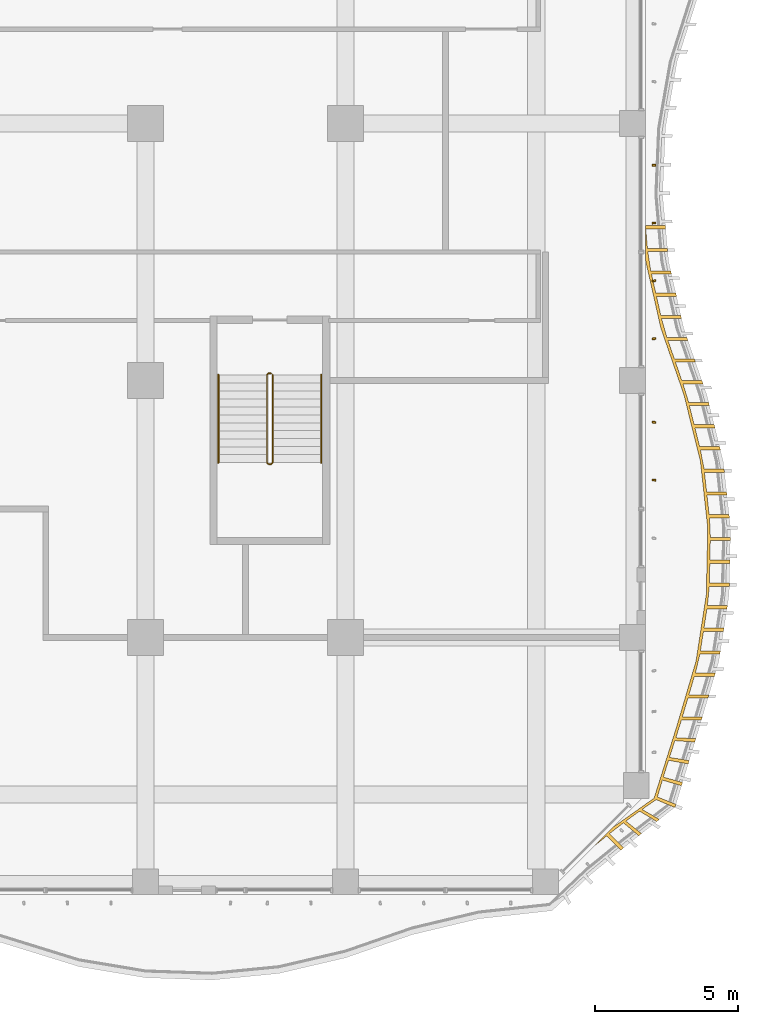
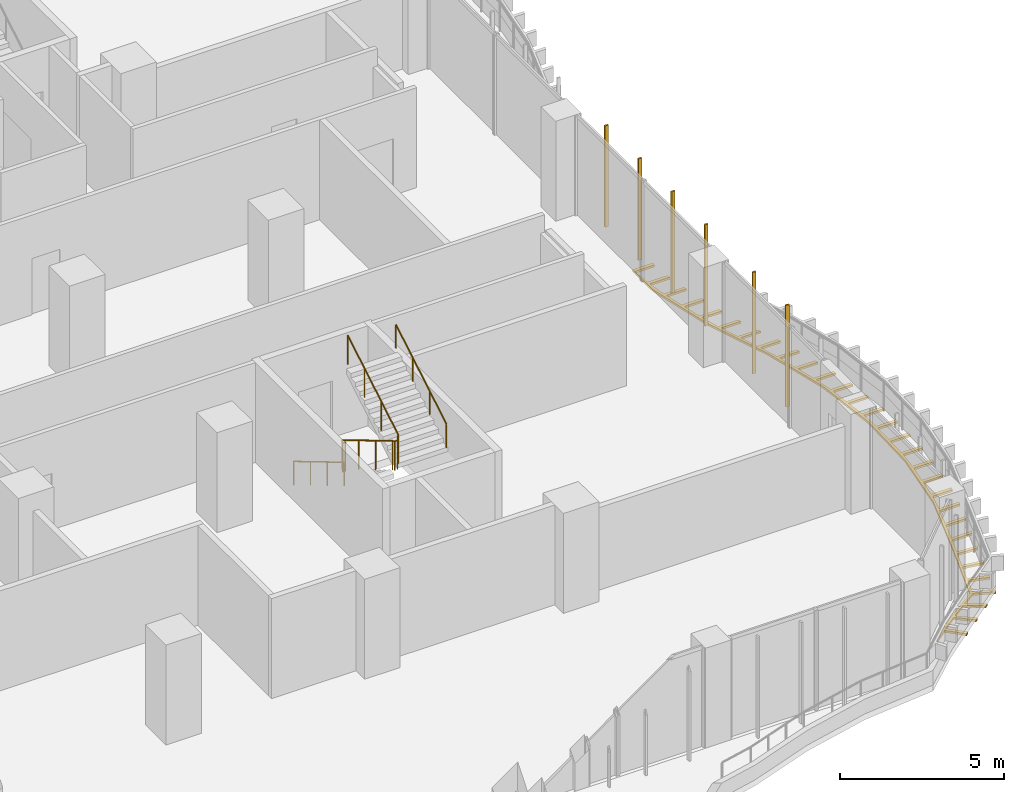
# One storey, part 23 of 27: 7 shading devices, 3 railings.
"""IFC4 building model written with IfcOpenShell, lengths in metres."""

from ifc_helpers import new_model, si_unit, direction, frame, origin, origin_2d, place, context, subcontext, project, spatial, polyline, rectangle, circle, outline, extrude, source, transform, mapped, material, layer, layer_set, material_profile, profile_set, type_object, element, save


model = new_model("IFC4")

# Units and contexts
model_context = context("Model", 3, precision=1e-05, world=origin(), true_north=direction((0.0, 1.0)))
body_context = subcontext(model_context, "Body", "Model", "MODEL_VIEW")
ifc_project = project(units=[si_unit("LENGTHUNIT", "METRE"), si_unit("AREAUNIT", "SQUARE_METRE"), si_unit("VOLUMEUNIT", "CUBIC_METRE"), si_unit("PLANEANGLEUNIT", "RADIAN"), si_unit("MASSUNIT", "GRAM", prefix="KILO")], contexts=[model_context])

# Site, building, storey
site_placement = place(None, origin())
site = spatial("IfcSite", under=ifc_project, at=site_placement, CompositionType="ELEMENT")
building_placement = place(site_placement, origin())
building = spatial("IfcBuilding", under=site, at=building_placement, Name="Kilnfold Tower and Market Hall", CompositionType="ELEMENT")
storey_placement = place(building_placement, frame((0.0, 0.0, 71.199951171875)))
storey = spatial("IfcBuildingStorey", under=building, at=storey_placement, Name="L16", CompositionType="ELEMENT", Elevation=71.199951171875)

# Railings
ifc_material_1 = material(Name="Stainless steel 316", Category="steel")
railing_type_1 = type_object("IfcRailingType", Name="CORE STAIR GUARD 1100", PredefinedType="GUARDRAIL", material=ifc_material_1)
railing_1_placement = place(storey_placement, frame((19.89990234375, -9.75, 0.0)))
element("IfcRailing", 1, at=railing_1_placement, inside=storey, type_object=railing_type_1, Name="L16 ST4 stair guard 1", PredefinedType="GUARDRAIL", context=body_context, shape_type="SweptSolid", body=[
    extrude(circle(Radius=0.02392578125, at=origin_2d()), frame((0.0, 0.0, 1.076171875), z_axis=(-1.0, 0.0, 0.0), x_axis=(0.0, -1.0, 0.0)), (0.0, 0.0, 1.0), 0.099853515625),
    extrude(circle(Radius=0.02392578125, at=origin_2d()), frame((-0.099853515625, 0.0, 1.076171875), z_axis=(-0.27628659633, -0.27628659633, 0.920506074601), x_axis=(0.707106781187, -0.707106781187, 0.0)), (0.0, 0.0, 1.0), 0.18115234375),
    extrude(circle(Radius=0.02392578125, at=origin_2d()), frame((-0.14990234375, -0.050048828125, 1.24267578125), z_axis=(0.0, -0.859290745958, 0.51148745235), x_axis=(1.0, 0.0, 0.0)), (0.0, 0.0, 1.0), 3.584228515625),
    extrude(circle(Radius=0.02392578125, at=origin_2d()), frame((-0.14990234375, -3.1298828125, 3.076171875), z_axis=(0.707106781187, -0.707106781187, 0.0), x_axis=(0.707106781187, 0.707106781187, 0.0)), (0.0, 0.0, 1.0), 0.07080078125),
    extrude(circle(Radius=0.02392578125, at=origin_2d()), frame((-0.099853515625, -3.179931640625, 3.076171875), z_axis=(1.0, 0.0, 0.0), x_axis=(0.0, 1.0, 0.0)), (0.0, 0.0, 1.0), 0.099853515625),
    extrude(circle(Radius=0.02392578125, at=origin_2d()), frame((0.0, -3.179931640625, 3.076171875), z_axis=(0.27628659633, 0.27628659633, 0.920506074601), x_axis=(-0.707106781187, 0.707106781187, 0.0)), (0.0, 0.0, 1.0), 0.18115234375),
    extrude(circle(Radius=0.02392578125, at=origin_2d()), frame((0.050048828125, -3.1298828125, 3.24267578125), z_axis=(0.0, 0.859290745958, 0.51148745235), x_axis=(-1.0, 0.0, 0.0)), (0.0, 0.0, 1.0), 3.584228515625),
    extrude(circle(Radius=0.02099609375, at=origin_2d()), origin(), (0.0, 0.0, 1.0), 1.052001953125),
    extrude(circle(Radius=0.02099609375, at=origin_2d()), frame((-0.099853515625, 0.0, 0.0)), (0.0, 0.0, 1.0), 1.052001953125),
    extrude(circle(Radius=0.02099609375, at=origin_2d()), frame((-0.14990234375, -0.050048828125, 0.166748046875)), (0.0, 0.0, 1.0), 1.052001953125),
    extrude(circle(Radius=0.02099609375, at=origin_2d()), frame((-0.14990234375, -1.07666015625, 0.77783203125)), (0.0, 0.0, 1.0), 1.052001953125),
    extrude(circle(Radius=0.02099609375, at=origin_2d()), frame((-0.14990234375, -2.103271484375, 1.388916015625)), (0.0, 0.0, 1.0), 1.052001953125),
    extrude(circle(Radius=0.02099609375, at=origin_2d()), frame((-0.14990234375, -3.1298828125, 2.0)), (0.0, 0.0, 1.0), 1.052001953125),
    extrude(circle(Radius=0.02099609375, at=origin_2d()), frame((-0.099853515625, -3.179931640625, 2.0)), (0.0, 0.0, 1.0), 1.052001953125),
    extrude(circle(Radius=0.02099609375, at=origin_2d()), frame((0.0, -3.179931640625, 2.0)), (0.0, 0.0, 1.0), 1.052001953125),
    extrude(circle(Radius=0.02099609375, at=origin_2d()), frame((0.050048828125, -3.1298828125, 2.166748046875)), (0.0, 0.0, 1.0), 1.052001953125),
    extrude(circle(Radius=0.02099609375, at=origin_2d()), frame((0.050048828125, -2.103271484375, 2.77783203125)), (0.0, 0.0, 1.0), 1.052001953125),
    extrude(circle(Radius=0.02099609375, at=origin_2d()), frame((0.050048828125, -1.07666015625, 3.388916015625)), (0.0, 0.0, 1.0), 1.052001953125),
    extrude(circle(Radius=0.02099609375, at=origin_2d()), frame((0.050048828125, -0.050048828125, 4.0)), (0.0, 0.0, 1.0), 1.052001953125),
])
ifc_material_2 = material(Name="Stainless steel 316", Category="steel")
railing_type_2 = type_object("IfcRailingType", Name="CORE STAIR HANDRAIL 900", PredefinedType="HANDRAIL", material=ifc_material_2)
railing_2_placement = place(storey_placement, frame((18.050048828125, -9.800048828125, 0.166748046875)))
element("IfcRailing", 2, at=railing_2_placement, inside=storey, type_object=railing_type_2, Name="L16 ST4 stair handrail 1", PredefinedType="HANDRAIL", context=body_context, shape_type="SweptSolid", body=[
    extrude(circle(Radius=0.02392578125, at=origin_2d()), frame((0.0, 0.0, 0.8759765625), z_axis=(0.0, -0.859290745958, 0.51148745235), x_axis=(1.0, 0.0, 0.0)), (0.0, 0.0, 1.0), 3.584228515625),
    extrude(circle(Radius=0.02099609375, at=origin_2d()), origin(), (0.0, 0.0, 1.0), 0.851806640625),
    extrude(circle(Radius=0.02099609375, at=origin_2d()), frame((0.0, -1.026611328125, 0.611083984375)), (0.0, 0.0, 1.0), 0.851806640625),
    extrude(circle(Radius=0.02099609375, at=origin_2d()), frame((0.0, -2.05322265625, 1.22216796875)), (0.0, 0.0, 1.0), 0.851806640625),
    extrude(circle(Radius=0.02099609375, at=origin_2d()), frame((0.0, -3.079833984375, 1.833251953125)), (0.0, 0.0, 1.0), 0.851806640625),
])
railing_3_placement = place(storey_placement, frame((21.64990234375, -12.8798828125, 2.166748046875)))
element("IfcRailing", 3, at=railing_3_placement, inside=storey, type_object=railing_type_2, Name="L16 ST4 stair handrail 2", PredefinedType="HANDRAIL", context=body_context, shape_type="SweptSolid", body=[
    extrude(circle(Radius=0.02392578125, at=origin_2d()), frame((0.0, 0.0, 0.8759765625), z_axis=(0.0, 0.859290745958, 0.51148745235), x_axis=(-1.0, 0.0, 0.0)), (0.0, 0.0, 1.0), 3.584228515625),
    extrude(circle(Radius=0.02099609375, at=origin_2d()), origin(), (0.0, 0.0, 1.0), 0.851806640625),
    extrude(circle(Radius=0.02099609375, at=origin_2d()), frame((0.0, 1.026611328125, 0.611083984375)), (0.0, 0.0, 1.0), 0.851806640625),
    extrude(circle(Radius=0.02099609375, at=origin_2d()), frame((0.0, 2.05322265625, 1.22216796875)), (0.0, 0.0, 1.0), 0.851806640625),
    extrude(circle(Radius=0.02099609375, at=origin_2d()), frame((0.0, 3.079833984375, 1.833251953125)), (0.0, 0.0, 1.0), 0.851806640625),
])

# Shading devices
ifc_material_3 = material(Name="Terracotta", Category="masonry")
ifc_material_profile = material_profile(ifc_material_3, rectangle(XDim=0.06005859375, YDim=0.1201171875, at=origin_2d()), Name="BAG 60x120")
ifc_profile_set = profile_set([ifc_material_profile], Name="Terracotta")
shading_device_type_1 = type_object("IfcShadingDeviceType", Name="BAGUETTE", PredefinedType="USERDEFINED", material=ifc_profile_set)
shared_shape_1 = source(origin(), body_context, "Body", "SweptSolid", [
    extrude(rectangle(XDim=0.06005859375, YDim=0.1201171875, at=origin_2d()), origin(), (0.0, 0.0, 1.0), 3.780029296875),
])
for number, where, z_axis, x_axis, name in (
    (4, (33.300048828125, -13.487548828125, 0.0), (0.0, 0.0, 1.0), (0.139126435522, 0.99027462602, 0.0), "Terracotta baguette L16 E"),
    (5, (33.300048828125, -11.46240234375, 0.0), (0.0, 0.0, 1.0), (0.082822122184, 0.99656434618, 0.0), "Terracotta baguette L16 E"),
    (6, (33.300048828125, -8.53759765625, 0.0), (0.0, 0.0, 1.0), (-0.087346996792, 0.996177947031, 0.0), "Terracotta baguette L16 E"),
    (7, (33.300048828125, -6.512451171875, 0.0), (0.0, 0.0, 1.0), (-0.139157545848, 0.990270254745, 0.0), "Terracotta baguette L16 E"),
    (8, (33.300048828125, -4.487548828125, 0.0), (0.0, 0.0, 1.0), (-0.084072637002, 0.996459628739, 0.0), "Terracotta baguette L16 E"),
    (9, (33.300048828125, -2.46240234375, 0.0), (0.0, 0.0, 1.0), (0.036125689155, 0.999347254253, 0.0), "Terracotta baguette L16 E"),
):
    element("IfcShadingDevice", number, at=place(storey_placement, frame(where, z_axis=z_axis, x_axis=x_axis)), inside=storey, type_object=shading_device_type_1, Name=name, ObjectType="BAGUETTE", PredefinedType="USERDEFINED", context=body_context, shape_type="MappedRepresentation", body=[
        mapped(shared_shape_1, transform((0.0, 0.0, 0.0))),
    ])
ifc_material_4 = material(Name="Bronze anodised aluminium", Category="aluminium")
ifc_layer = layer(ifc_material_4, 0.080078125)
ifc_layer_set = layer_set([ifc_layer], Name="Bronze anodised aluminium")
shading_device_type_2 = type_object("IfcShadingDeviceType", Name="BRONZE SLAT SOFFIT 80", PredefinedType="USERDEFINED", material=ifc_layer_set)
shared_shape_2 = source(origin(), body_context, "Body", "SweptSolid", [
    extrude(outline(polyline([(33.303955078125, -24.6259765625), (34.08056640625, -22.166748046875), (34.771240234375, -19.833251953125), (35.132080078125, -17.5), (35.18310546875, -15.166748046875), (34.9267578125, -12.833251953125), (34.349365234375, -10.5), (33.541259765625, -8.166748046875), (33.014404296875, -5.833251953125), (33.0, -5.673828125), (33.0, -4.55908203125), (33.001220703125, -4.573486328125), (33.701416015625, -4.573486328125), (33.7119140625, -4.693115234375), (33.011962890625, -4.693115234375), (33.07275390625, -5.370361328125), (33.772705078125, -5.370361328125), (33.783447265625, -5.48974609375), (33.08349609375, -5.48974609375), (33.18798828125, -6.16015625), (33.88818359375, -6.16015625), (33.91455078125, -6.27734375), (33.214599609375, -6.27734375), (33.364501953125, -6.940673828125), (34.064453125, -6.940673828125), (34.0908203125, -7.0576171875), (33.390869140625, -7.0576171875), (33.54052734375, -7.720947265625), (34.240478515625, -7.720947265625), (34.26708984375, -7.837890625), (33.567138671875, -7.837890625), (33.75341796875, -8.49072265625), (34.45361328125, -8.49072265625), (34.492919921875, -8.604248046875), (33.792724609375, -8.604248046875), (34.015380859375, -9.24658203125), (34.71533203125, -9.24658203125), (34.754638671875, -9.360107421875), (34.0546875, -9.360107421875), (34.277099609375, -10.002685546875), (34.977294921875, -10.002685546875), (35.016357421875, -10.1162109375), (34.31640625, -10.1162109375), (34.51513671875, -10.765625), (35.215087890625, -10.765625), (35.243896484375, -10.882080078125), (34.5439453125, -10.882080078125), (34.707275390625, -11.542236328125), (35.4072265625, -11.542236328125), (35.43603515625, -11.65869140625), (34.736083984375, -11.65869140625), (34.8994140625, -12.31884765625), (35.599609375, -12.31884765625), (35.62841796875, -12.435302734375), (34.92822265625, -12.435302734375), (35.056396484375, -13.101806640625), (35.75634765625, -13.101806640625), (35.769287109375, -13.220947265625), (35.0693359375, -13.220947265625), (35.1435546875, -13.89697265625), (35.843505859375, -13.89697265625), (35.856689453125, -14.01611328125), (35.15673828125, -14.01611328125), (35.23095703125, -14.692138671875), (35.930908203125, -14.692138671875), (35.944091796875, -14.811279296875), (35.243896484375, -14.811279296875), (35.27587890625, -15.4892578125), (35.97607421875, -15.4892578125), (35.973388671875, -15.609130859375), (35.273193359375, -15.609130859375), (35.258544921875, -16.2890625), (35.95849609375, -16.2890625), (35.955810546875, -16.408935546875), (35.255859375, -16.408935546875), (35.2412109375, -17.0888671875), (35.941162109375, -17.0888671875), (35.9384765625, -17.208740234375), (35.238525390625, -17.208740234375), (35.172607421875, -17.88427734375), (35.872802734375, -17.88427734375), (35.8544921875, -18.002685546875), (35.154296875, -18.002685546875), (35.05029296875, -18.6748046875), (35.75048828125, -18.6748046875), (35.732177734375, -18.79345703125), (35.031982421875, -18.79345703125), (34.92822265625, -19.46533203125), (35.628173828125, -19.46533203125), (35.60986328125, -19.583984375), (34.909912109375, -19.583984375), (34.75, -20.243408203125), (35.449951171875, -20.243408203125), (35.415771484375, -20.3583984375), (34.7158203125, -20.3583984375), (34.522705078125, -21.010498046875), (35.222900390625, -21.010498046875), (35.197265625, -21.0966796875), (35.188720703125, -21.12548828125), (34.48876953125, -21.12548828125), (34.295654296875, -21.777587890625), (34.99560546875, -21.777587890625), (34.961669921875, -21.892578125), (34.26171875, -21.892578125), (34.067138671875, -22.507080078125), (34.76611328125, -22.5439453125), (34.7314453125, -22.65869140625), (34.033203125, -22.610595703125), (33.843505859375, -23.19677734375), (34.5341796875, -23.309814453125), (34.49951171875, -23.424560546875), (33.810791015625, -23.30029296875), (33.628173828125, -23.88720703125), (34.302490234375, -24.0751953125), (34.267578125, -24.190185546875), (33.5966796875, -23.9912109375), (33.42041015625, -24.581298828125), (34.070556640625, -24.841064453125), (34.04296875, -24.931884765625), (34.0234375, -24.947509765625), (33.3779296875, -24.676513671875), (32.884033203125, -25.01904296875), (33.489990234375, -25.369384765625), (33.39599609375, -25.443603515625), (32.798095703125, -25.079833984375), (32.31640625, -25.427734375), (32.86279296875, -25.865478515625), (32.7685546875, -25.93994140625), (32.232421875, -25.489990234375), (31.741943359375, -25.868896484375), (32.23681640625, -26.364013671875), (32.143798828125, -26.439453125), (31.648681640625, -25.944580078125), (31.15234375, -26.34765625), (31.833984375, -25.666015625), (33.303955078125, -24.6259765625)])), origin(), (0.0, 0.0, 1.0), 0.080078125),
])
shading_device_placement = place(storey_placement, frame((0.0, 0.0, -0.300048828125)))
element("IfcShadingDevice", 10, at=shading_device_placement, inside=storey, type_object=shading_device_type_2, Name="Balcony soffit slats L16", ObjectType="SLAT", PredefinedType="USERDEFINED", context=body_context, shape_type="MappedRepresentation", body=[
    mapped(shared_shape_2, transform((0.0, 0.0, 0.0))),
])

save(model, "model.ifc")
